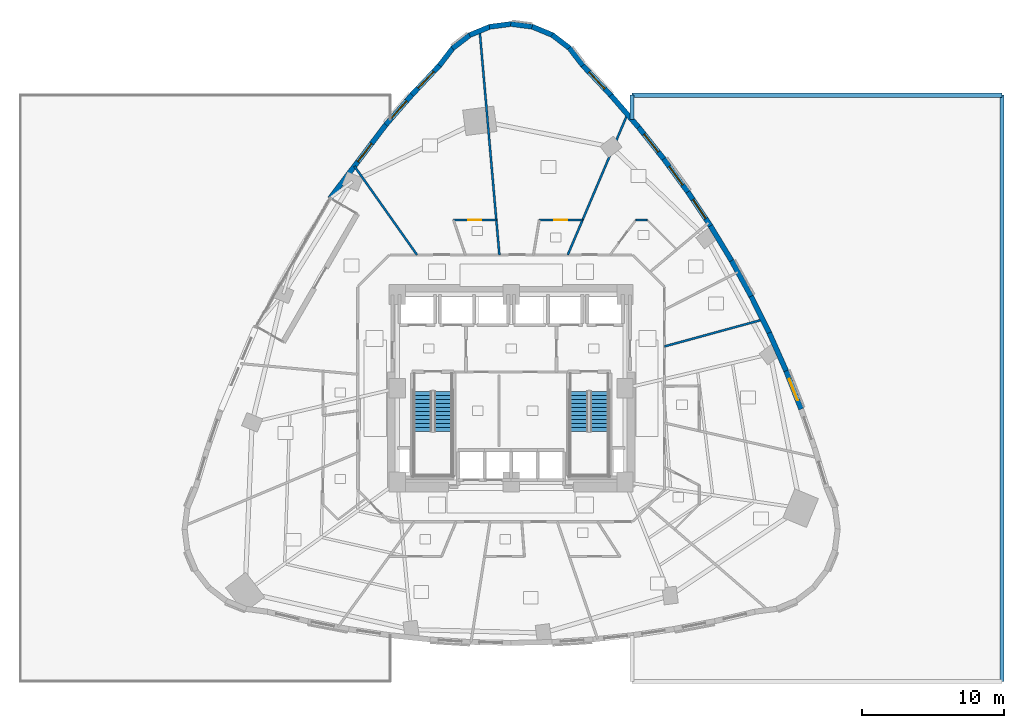
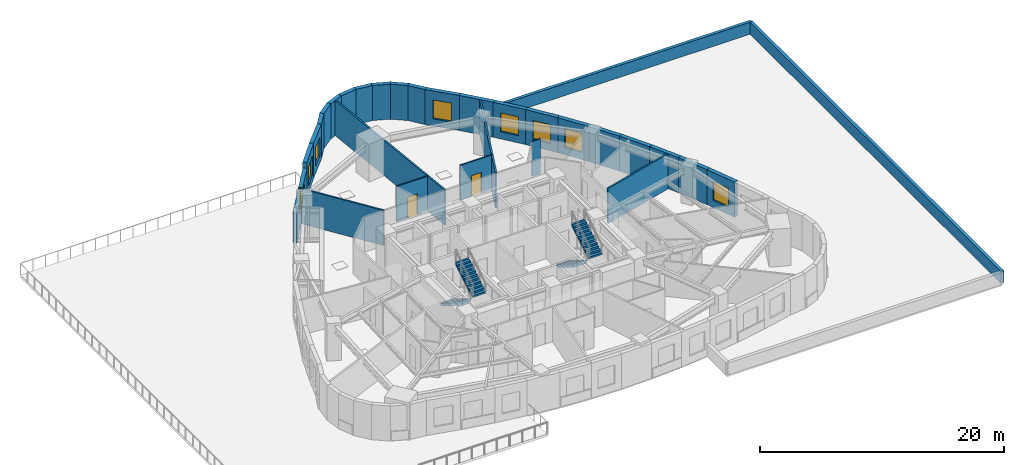
# One storey, part 11 of 15: 31 walls, 8 windows, 4 stair flights, 2 doors, 10 openings, 2 elements without a shape of their own.
"""IFC4 building model written with IfcOpenShell, lengths in metres."""

from ifc_helpers import new_model, si_unit, direction, frame, frame_2d, origin, place, context, subcontext, project, spatial, polyline, rectangle, outline, extrude, material, layer, layer_set, type_object, element, fill, aggregate, save


model = new_model("IFC4")

# Units and contexts
model_context = context("Model", 3, precision=1e-05, world=origin(), true_north=direction((0.0, 1.0)))
body_context = subcontext(model_context, "Body", "Model", "MODEL_VIEW")
ifc_project = project(units=[si_unit("LENGTHUNIT", "METRE"), si_unit("AREAUNIT", "SQUARE_METRE"), si_unit("VOLUMEUNIT", "CUBIC_METRE"), si_unit("PLANEANGLEUNIT", "RADIAN"), si_unit("MASSUNIT", "GRAM", prefix="KILO")], contexts=[model_context])

# Site, building, storey
site_placement = place(None, origin())
site = spatial("IfcSite", under=ifc_project, at=site_placement, CompositionType="ELEMENT")
building_placement = place(site_placement, origin())
building = spatial("IfcBuilding", under=site, at=building_placement, Name="Ndelora Gate Hotel", CompositionType="ELEMENT")
storey_placement = place(building_placement, frame((0.0, 0.0, 30.5)))
storey = spatial("IfcBuildingStorey", under=building, at=storey_placement, Name="L06", CompositionType="ELEMENT", Elevation=30.5)

# Walls
ifc_material_1 = material(Name="Clay Brick Masonry", Category="masonry")
ifc_layer_1 = layer(ifc_material_1, 0.360107421875)
ifc_layer_set_1 = layer_set([ifc_layer_1], Name="Clay Brick Masonry")
wall_type_1 = type_object("IfcWallType", Name="WL-BRICK-360", PredefinedType="SOLIDWALL", material=ifc_layer_set_1)
for number, where, z_axis, x_axis, name in (
    (1, (4.0859375, 23.928955078125, 0.0), (0.0, 0.0, 1.0), (0.608729688799, -0.793377694402, 0.0), "L06 Tower Brick Pier-and-Spandrel Wall TWR-1"),
    (2, (2.880126953125, 24.845947265625, 0.0), (0.0, 0.0, 1.0), (0.793377694402, -0.608729688799, 0.0), "L06 Tower Brick Pier-and-Spandrel Wall TWR-2"),
    (3, (1.47802734375, 25.419921875, 0.0), (0.0, 0.0, 1.0), (0.923864636245, -0.382719393153, 0.0), "L06 Tower Brick Pier-and-Spandrel Wall TWR-3"),
    (4, (-0.02490234375, 25.611083984375, 0.0), (0.0, 0.0, 1.0), (0.991450044922, -0.130486813217, 0.0), "L06 Tower Brick Pier-and-Spandrel Wall TWR-4"),
    (5, (-1.52587890625, 25.406982421875, 0.0), (0.0, 0.0, 1.0), (0.991450044922, 0.130486813217, 0.0), "L06 Tower Brick Pier-and-Spandrel Wall TWR-5"),
    (6, (-2.923095703125, 24.8212890625, 0.0), (0.0, 0.0, 1.0), (0.923864636245, 0.382719393153, 0.0), "L06 Tower Brick Pier-and-Spandrel Wall TWR-6"),
    (7, (-4.12109375, 23.893798828125, 0.0), (0.0, 0.0, 1.0), (0.793377694402, 0.608729688799, 0.0), "L06 Tower Brick Pier-and-Spandrel Wall TWR-7"),
    (8, (-5.0380859375, 22.68798828125, 0.0), (0.0, 0.0, 1.0), (0.608729688799, 0.793377694402, 0.0), "L06 Tower Brick Pier-and-Spandrel Wall TWR-8"),
):
    element("IfcWall", number, at=place(storey_placement, frame(where, z_axis=z_axis, x_axis=x_axis)), inside=storey, type_object=wall_type_1, Name=name, PredefinedType="SOLIDWALL", context=body_context, shape_type="SweptSolid", body=[
        extrude(rectangle(XDim=1.564208984375, YDim=0.360107421875, at=frame_2d((0.7822265625, 0.0))), origin(), (0.0, 0.0, 1.0), 3.5),
    ])

# Wall, opening, window
wall_1_placement = place(storey_placement, frame((-6.973388671875, 20.63671875, 0.0), z_axis=(0.0, 0.0, 1.0), x_axis=(0.685563685899, 0.728012659626, 0.0)))
wall_1 = element("IfcWall", 9, at=wall_1_placement, inside=storey, type_object=wall_type_1, Name="L06 Tower Brick Pier-and-Spandrel Wall TWR-9", PredefinedType="SOLIDWALL", context=body_context, shape_type="SweptSolid", body=[
    extrude(rectangle(XDim=2.869873046875, YDim=0.360107421875, at=frame_2d((1.43505859375, 0.0))), origin(), (0.0, 0.0, 1.0), 3.5),
])
opening_1_placement = place(wall_1_placement, frame((0.635009765625, 0.0, 0.719970703125)))
opening_1 = element("IfcOpeningElement", 10, at=opening_1_placement, cuts=wall_1, Name="Opening W03", PredefinedType="OPENING", context=body_context, shape_type="SweptSolid", body=[
    extrude(rectangle(XDim=1.60009765625, YDim=1.8798828125, at=frame_2d((0.800048828125, 0.93994140625))), frame((0.0, 0.18994140625, 0.0), z_axis=(0.0, -1.0, 0.0), x_axis=(1.0, 0.0, 0.0)), (0.0, 0.0, 1.0), 0.380126953125),
])
ifc_material_2 = material(Name="Insulated Low-E Double Glazing in Bronze Aluminium Frame", Category="aluminium")
window_type_1 = type_object("IfcWindowType", Name="WN-CORN-2100", PartitioningType="SINGLE_PANEL", PredefinedType="WINDOW", material=ifc_material_2)
window_1_placement = place(opening_1_placement, origin())
window_1 = element("IfcWindow", 11, at=window_1_placement, inside=storey, type_object=window_type_1, Name="L06 Deep-Set Brick-Pier Window W03", OverallHeight=1.8798828125, OverallWidth=1.60009765625, PartitioningType="SINGLE_PANEL", PredefinedType="WINDOW", context=body_context, shape_type="SweptSolid", body=[
    extrude(rectangle(XDim=1.60009765625, YDim=1.8798828125, at=frame_2d((0.800048828125, 0.93994140625))), frame((0.0, 0.030029296875, 0.0), z_axis=(0.0, -1.0, 0.0), x_axis=(1.0, 0.0, 0.0)), (0.0, 0.0, 1.0), 0.06005859375),
])
fill(opening_1, window_1)

wall_2_placement = place(storey_placement, frame((-8.808349609375, 18.5263671875, 0.0), z_axis=(0.0, 0.0, 1.0), x_axis=(0.656480194697, 0.754343260042, 0.0)))
wall_2 = element("IfcWall", 12, at=wall_2_placement, inside=storey, type_object=wall_type_1, Name="L06 Tower Brick Pier-and-Spandrel Wall TWR-10", PredefinedType="SOLIDWALL", context=body_context, shape_type="SweptSolid", body=[
    extrude(rectangle(XDim=2.846435546875, YDim=0.360107421875, at=frame_2d((1.42333984375, 0.0))), origin(), (0.0, 0.0, 1.0), 3.5),
])
opening_2_placement = place(wall_2_placement, frame((0.623291015625, 0.0, 0.719970703125)))
opening_2 = element("IfcOpeningElement", 13, at=opening_2_placement, cuts=wall_2, Name="Opening W01", PredefinedType="OPENING", context=body_context, shape_type="SweptSolid", body=[
    extrude(rectangle(XDim=1.60009765625, YDim=1.8798828125, at=frame_2d((0.800048828125, 0.93994140625))), frame((0.0, 0.18994140625, 0.0), z_axis=(0.0, -1.0, 0.0), x_axis=(1.0, 0.0, 0.0)), (0.0, 0.0, 1.0), 0.380126953125),
])
window_type_2 = type_object("IfcWindowType", Name="WN-DEEP-1600", PartitioningType="SINGLE_PANEL", PredefinedType="WINDOW", material=ifc_material_2)
window_2_placement = place(opening_2_placement, origin())
window_2 = element("IfcWindow", 14, at=window_2_placement, inside=storey, type_object=window_type_2, Name="L06 Deep-Set Brick-Pier Window W01", OverallHeight=1.8798828125, OverallWidth=1.60009765625, PartitioningType="SINGLE_PANEL", PredefinedType="WINDOW", context=body_context, shape_type="SweptSolid", body=[
    extrude(rectangle(XDim=1.60009765625, YDim=1.8798828125, at=frame_2d((0.800048828125, 0.93994140625))), frame((0.0, 0.030029296875, 0.0), z_axis=(0.0, -1.0, 0.0), x_axis=(1.0, 0.0, 0.0)), (0.0, 0.0, 1.0), 0.06005859375),
])
fill(opening_2, window_2)

wall_3_placement = place(storey_placement, frame((-12.745361328125, 13.334228515625, 0.0), z_axis=(0.0, 0.0, 1.0), x_axis=(0.604405198851, 0.796677071091, 0.0)))
wall_3 = element("IfcWall", 15, at=wall_3_placement, inside=storey, type_object=wall_type_1, Name="L06 Tower Brick Pier-and-Spandrel Wall TWR-11", PredefinedType="SOLIDWALL", context=body_context, shape_type="SweptSolid", body=[
    extrude(rectangle(XDim=6.56591796875, YDim=0.360107421875, at=frame_2d((3.282958984375, 0.0))), origin(), (0.0, 0.0, 1.0), 2.929931640625),
])
opening_3_placement = place(wall_3_placement, frame((3.260009765625, 0.0, 0.719970703125)))
opening_3 = element("IfcOpeningElement", 16, at=opening_3_placement, cuts=wall_3, Name="Opening W01", PredefinedType="OPENING", context=body_context, shape_type="SweptSolid", body=[
    extrude(rectangle(XDim=1.60009765625, YDim=1.8798828125, at=frame_2d((0.800048828125, 0.93994140625))), frame((0.0, 0.18994140625, 0.0), z_axis=(0.0, -1.0, 0.0), x_axis=(1.0, 0.0, 0.0)), (0.0, 0.0, 1.0), 0.380126953125),
])
window_3_placement = place(opening_3_placement, origin())
window_3 = element("IfcWindow", 17, at=window_3_placement, inside=storey, type_object=window_type_2, Name="L06 Deep-Set Brick-Pier Window W01", OverallHeight=1.8798828125, OverallWidth=1.60009765625, PartitioningType="SINGLE_PANEL", PredefinedType="WINDOW", context=body_context, shape_type="SweptSolid", body=[
    extrude(rectangle(XDim=1.60009765625, YDim=1.8798828125, at=frame_2d((0.800048828125, 0.93994140625))), frame((0.0, 0.030029296875, 0.0), z_axis=(0.0, -1.0, 0.0), x_axis=(1.0, 0.0, 0.0)), (0.0, 0.0, 1.0), 0.06005859375),
])
fill(opening_3, window_3)

wall_4_placement = place(storey_placement, frame((19.308349609375, 1.272216796875, 0.0), z_axis=(0.0, 0.0, 1.0), x_axis=(0.366361181184, -0.930472721213, 0.0)))
wall_4 = element("IfcWall", 18, at=wall_4_placement, inside=storey, type_object=wall_type_1, Name="L06 Tower Brick Pier-and-Spandrel Wall TWR-49", PredefinedType="SOLIDWALL", context=body_context, shape_type="SweptSolid", body=[
    extrude(rectangle(XDim=2.940673828125, YDim=0.360107421875, at=frame_2d((1.47021484375, 0.0))), origin(), (0.0, 0.0, 1.0), 3.5),
])
opening_4_placement = place(wall_4_placement, frame((0.67041015625, 0.0, 0.719970703125)))
opening_4 = element("IfcOpeningElement", 19, at=opening_4_placement, cuts=wall_4, Name="Opening W03", PredefinedType="OPENING", context=body_context, shape_type="SweptSolid", body=[
    extrude(rectangle(XDim=1.60009765625, YDim=1.8798828125, at=frame_2d((0.800048828125, 0.93994140625))), frame((0.0, 0.18994140625, 0.0), z_axis=(0.0, -1.0, 0.0), x_axis=(1.0, 0.0, 0.0)), (0.0, 0.0, 1.0), 0.380126953125),
])
window_4_placement = place(opening_4_placement, origin())
window_4 = element("IfcWindow", 20, at=window_4_placement, inside=storey, type_object=window_type_1, Name="L06 Deep-Set Brick-Pier Window W03", OverallHeight=1.8798828125, OverallWidth=1.60009765625, PartitioningType="SINGLE_PANEL", PredefinedType="WINDOW", context=body_context, shape_type="SweptSolid", body=[
    extrude(rectangle(XDim=1.60009765625, YDim=1.8798828125, at=frame_2d((0.800048828125, 0.93994140625))), frame((0.0, 0.030029296875, 0.0), z_axis=(0.0, -1.0, 0.0), x_axis=(1.0, 0.0, 0.0)), (0.0, 0.0, 1.0), 0.06005859375),
])
fill(opening_4, window_4)

# Walls
wall_5_placement = place(storey_placement, frame((18.142578125, 3.900634765625, 0.0), z_axis=(0.0, 0.0, 1.0), x_axis=(0.405100583427, -0.914272124319, 0.0)))
element("IfcWall", 21, at=wall_5_placement, inside=storey, type_object=wall_type_1, Name="L06 Tower Brick Pier-and-Spandrel Wall TWR-50", PredefinedType="SOLIDWALL", context=body_context, shape_type="SweptSolid", body=[
    extrude(rectangle(XDim=2.92529296875, YDim=0.360107421875, at=frame_2d((1.462646484375, 0.0))), origin(), (0.0, 0.0, 1.0), 3.5),
])
wall_6_placement = place(storey_placement, frame((16.87060546875, 6.4677734375, 0.0), z_axis=(0.0, 0.0, 1.0), x_axis=(0.44365878996, -0.896195781117, 0.0)))
element("IfcWall", 22, at=wall_6_placement, inside=storey, type_object=wall_type_1, Name="L06 Tower Brick Pier-and-Spandrel Wall TWR-51", PredefinedType="SOLIDWALL", context=body_context, shape_type="SweptSolid", body=[
    extrude(rectangle(XDim=2.914794921875, YDim=0.360107421875, at=frame_2d((1.45751953125, 0.0))), origin(), (0.0, 0.0, 1.0), 3.5),
])
wall_7_placement = place(storey_placement, frame((15.493408203125, 8.973876953125, 0.0), z_axis=(0.0, 0.0, 1.0), x_axis=(0.481319495438, -0.876545231754, 0.0)))
element("IfcWall", 23, at=wall_7_placement, inside=storey, type_object=wall_type_1, Name="L06 Tower Brick Pier-and-Spandrel Wall TWR-52", PredefinedType="SOLIDWALL", context=body_context, shape_type="SweptSolid", body=[
    extrude(rectangle(XDim=2.909423828125, YDim=0.360107421875, at=frame_2d((1.45458984375, 0.0))), origin(), (0.0, 0.0, 1.0), 3.5),
])
wall_8_placement = place(storey_placement, frame((14.009765625, 11.418701171875, 0.0), z_axis=(0.0, 0.0, 1.0), x_axis=(0.518463491903, -0.855099764685, 0.0)))
element("IfcWall", 24, at=wall_8_placement, inside=storey, type_object=wall_type_1, Name="L06 Tower Brick Pier-and-Spandrel Wall TWR-53", PredefinedType="SOLIDWALL", context=body_context, shape_type="SweptSolid", body=[
    extrude(rectangle(XDim=2.90966796875, YDim=0.360107421875, at=frame_2d((1.454833984375, 0.0))), origin(), (0.0, 0.0, 1.0), 3.5),
])

# Wall, opening, window
wall_9_placement = place(storey_placement, frame((12.420654296875, 13.802490234375, 0.0), z_axis=(0.0, 0.0, 1.0), x_axis=(0.554410222631, -0.832243537099, 0.0)))
wall_9 = element("IfcWall", 25, at=wall_9_placement, inside=storey, type_object=wall_type_1, Name="L06 Tower Brick Pier-and-Spandrel Wall TWR-54", PredefinedType="SOLIDWALL", context=body_context, shape_type="SweptSolid", body=[
    extrude(rectangle(XDim=2.914794921875, YDim=0.360107421875, at=frame_2d((1.45751953125, 0.0))), origin(), (0.0, 0.0, 1.0), 3.5),
])
opening_5_placement = place(wall_9_placement, frame((0.657470703125, 0.0, 0.719970703125)))
opening_5 = element("IfcOpeningElement", 26, at=opening_5_placement, cuts=wall_9, Name="Opening W01", PredefinedType="OPENING", context=body_context, shape_type="SweptSolid", body=[
    extrude(rectangle(XDim=1.60009765625, YDim=1.8798828125, at=frame_2d((0.800048828125, 0.93994140625))), frame((0.0, 0.18994140625, 0.0), z_axis=(0.0, -1.0, 0.0), x_axis=(1.0, 0.0, 0.0)), (0.0, 0.0, 1.0), 0.380126953125),
])
window_5_placement = place(opening_5_placement, origin())
window_5 = element("IfcWindow", 27, at=window_5_placement, inside=storey, type_object=window_type_2, Name="L06 Deep-Set Brick-Pier Window W01", OverallHeight=1.8798828125, OverallWidth=1.60009765625, PartitioningType="SINGLE_PANEL", PredefinedType="WINDOW", context=body_context, shape_type="SweptSolid", body=[
    extrude(rectangle(XDim=1.60009765625, YDim=1.8798828125, at=frame_2d((0.800048828125, 0.93994140625))), frame((0.0, 0.030029296875, 0.0), z_axis=(0.0, -1.0, 0.0), x_axis=(1.0, 0.0, 0.0)), (0.0, 0.0, 1.0), 0.06005859375),
])
fill(opening_5, window_5)

wall_10_placement = place(storey_placement, frame((10.7255859375, 16.125, 0.0), z_axis=(0.0, 0.0, 1.0), x_axis=(0.589223239374, -0.807970280507, 0.0)))
wall_10 = element("IfcWall", 28, at=wall_10_placement, inside=storey, type_object=wall_type_1, Name="L06 Tower Brick Pier-and-Spandrel Wall TWR-55", PredefinedType="SOLIDWALL", context=body_context, shape_type="SweptSolid", body=[
    extrude(rectangle(XDim=2.92529296875, YDim=0.360107421875, at=frame_2d((1.462646484375, 0.0))), origin(), (0.0, 0.0, 1.0), 3.5),
])
opening_6_placement = place(wall_10_placement, frame((0.66259765625, 0.0, 0.719970703125)))
opening_6 = element("IfcOpeningElement", 29, at=opening_6_placement, cuts=wall_10, Name="Opening W01", PredefinedType="OPENING", context=body_context, shape_type="SweptSolid", body=[
    extrude(rectangle(XDim=1.60009765625, YDim=1.8798828125, at=frame_2d((0.800048828125, 0.93994140625))), frame((0.0, 0.18994140625, 0.0), z_axis=(0.0, -1.0, 0.0), x_axis=(1.0, 0.0, 0.0)), (0.0, 0.0, 1.0), 0.380126953125),
])
window_6_placement = place(opening_6_placement, origin())
window_6 = element("IfcWindow", 30, at=window_6_placement, inside=storey, type_object=window_type_2, Name="L06 Deep-Set Brick-Pier Window W01", OverallHeight=1.8798828125, OverallWidth=1.60009765625, PartitioningType="SINGLE_PANEL", PredefinedType="WINDOW", context=body_context, shape_type="SweptSolid", body=[
    extrude(rectangle(XDim=1.60009765625, YDim=1.8798828125, at=frame_2d((0.800048828125, 0.93994140625))), frame((0.0, 0.030029296875, 0.0), z_axis=(0.0, -1.0, 0.0), x_axis=(1.0, 0.0, 0.0)), (0.0, 0.0, 1.0), 0.06005859375),
])
fill(opening_6, window_6)

wall_11_placement = place(storey_placement, frame((8.9248046875, 18.38671875, 0.0), z_axis=(0.0, 0.0, 1.0), x_axis=(0.622637946995, -0.782510055502, 0.0)))
wall_11 = element("IfcWall", 31, at=wall_11_placement, inside=storey, type_object=wall_type_1, Name="L06 Tower Brick Pier-and-Spandrel Wall TWR-56", PredefinedType="SOLIDWALL", context=body_context, shape_type="SweptSolid", body=[
    extrude(rectangle(XDim=2.941162109375, YDim=0.360107421875, at=frame_2d((1.470703125, 0.0))), origin(), (0.0, 0.0, 1.0), 3.5),
])
opening_7_placement = place(wall_11_placement, frame((0.67041015625, 0.0, 0.719970703125)))
opening_7 = element("IfcOpeningElement", 32, at=opening_7_placement, cuts=wall_11, Name="Opening W01", PredefinedType="OPENING", context=body_context, shape_type="SweptSolid", body=[
    extrude(rectangle(XDim=1.60009765625, YDim=1.8798828125, at=frame_2d((0.800048828125, 0.93994140625))), frame((0.0, 0.18994140625, 0.0), z_axis=(0.0, -1.0, 0.0), x_axis=(1.0, 0.0, 0.0)), (0.0, 0.0, 1.0), 0.380126953125),
])
window_7_placement = place(opening_7_placement, origin())
window_7 = element("IfcWindow", 33, at=window_7_placement, inside=storey, type_object=window_type_2, Name="L06 Deep-Set Brick-Pier Window W01", OverallHeight=1.8798828125, OverallWidth=1.60009765625, PartitioningType="SINGLE_PANEL", PredefinedType="WINDOW", context=body_context, shape_type="SweptSolid", body=[
    extrude(rectangle(XDim=1.60009765625, YDim=1.8798828125, at=frame_2d((0.800048828125, 0.93994140625))), frame((0.0, 0.030029296875, 0.0), z_axis=(0.0, -1.0, 0.0), x_axis=(1.0, 0.0, 0.0)), (0.0, 0.0, 1.0), 0.06005859375),
])
fill(opening_7, window_7)

# Wall
wall_12_placement = place(storey_placement, frame((7.018310546875, 20.5869140625, 0.0), z_axis=(0.0, 0.0, 1.0), x_axis=(0.654585220283, -0.755988220402, 0.0)))
element("IfcWall", 34, at=wall_12_placement, inside=storey, type_object=wall_type_1, Name="L06 Tower Brick Pier-and-Spandrel Wall TWR-57", PredefinedType="SOLIDWALL", context=body_context, shape_type="SweptSolid", body=[
    extrude(rectangle(XDim=2.96142578125, YDim=0.360107421875, at=frame_2d((1.480712890625, 0.0))), origin(), (0.0, 0.0, 1.0), 3.5),
])

# Wall, opening, window
wall_13_placement = place(storey_placement, frame((5.005859375, 22.72607421875, 0.0), z_axis=(0.0, 0.0, 1.0), x_axis=(0.684946458387, -0.728593404542, 0.0)))
wall_13 = element("IfcWall", 35, at=wall_13_placement, inside=storey, type_object=wall_type_1, Name="L06 Tower Brick Pier-and-Spandrel Wall TWR-58", PredefinedType="SOLIDWALL", context=body_context, shape_type="SweptSolid", body=[
    extrude(rectangle(XDim=2.987060546875, YDim=0.360107421875, at=frame_2d((1.49365234375, 0.0))), origin(), (0.0, 0.0, 1.0), 3.5),
])
opening_8_placement = place(wall_13_placement, frame((0.693603515625, 0.0, 0.719970703125)))
opening_8 = element("IfcOpeningElement", 36, at=opening_8_placement, cuts=wall_13, Name="Opening W01", PredefinedType="OPENING", context=body_context, shape_type="SweptSolid", body=[
    extrude(rectangle(XDim=1.60009765625, YDim=1.8798828125, at=frame_2d((0.800048828125, 0.93994140625))), frame((0.0, 0.18994140625, 0.0), z_axis=(0.0, -1.0, 0.0), x_axis=(1.0, 0.0, 0.0)), (0.0, 0.0, 1.0), 0.380126953125),
])
window_8_placement = place(opening_8_placement, origin())
window_8 = element("IfcWindow", 37, at=window_8_placement, inside=storey, type_object=window_type_2, Name="L06 Deep-Set Brick-Pier Window W01", OverallHeight=1.8798828125, OverallWidth=1.60009765625, PartitioningType="SINGLE_PANEL", PredefinedType="WINDOW", context=body_context, shape_type="SweptSolid", body=[
    extrude(rectangle(XDim=1.60009765625, YDim=1.8798828125, at=frame_2d((0.800048828125, 0.93994140625))), frame((0.0, 0.030029296875, 0.0), z_axis=(0.0, -1.0, 0.0), x_axis=(1.0, 0.0, 0.0)), (0.0, 0.0, 1.0), 0.06005859375),
])
fill(opening_8, window_8)

# Walls
ifc_material_3 = material(Name="Precast concrete C40/50", Category="concrete")
ifc_layer_2 = layer(ifc_material_3, 0.2900390625)
ifc_layer_set_2 = layer_set([ifc_layer_2], Name="Precast concrete C40/50")
wall_type_2 = type_object("IfcWallType", Name="WL-PARA-290", PredefinedType="PARAPET", material=ifc_layer_set_2)
wall_14_placement = place(storey_placement, frame((34.5, -20.60009765625, 0.0), z_axis=(0.0, 0.0, 1.0), x_axis=(0.0, 1.0, 0.0)))
element("IfcWall", 38, at=wall_14_placement, inside=storey, type_object=wall_type_2, Name="L06 East Podium Roof Parapet Wall 3", PredefinedType="PARAPET", context=body_context, shape_type="SweptSolid", body=[
    extrude(rectangle(XDim=41.2001953125, YDim=0.2900390625, at=frame_2d((20.60009765625, 0.0))), origin(), (0.0, 0.0, 1.0), 1.199951171875),
])
wall_15_placement = place(storey_placement, frame((34.5, 20.60009765625, 0.0), z_axis=(0.0, 0.0, 1.0), x_axis=(-1.0, 0.0, 0.0)))
element("IfcWall", 39, at=wall_15_placement, inside=storey, type_object=wall_type_2, Name="L06 East Podium Roof Parapet Wall 4", PredefinedType="PARAPET", context=body_context, shape_type="SweptSolid", body=[
    extrude(rectangle(XDim=26.0, YDim=0.2900390625, at=frame_2d((13.0, 0.0))), origin(), (0.0, 0.0, 1.0), 1.199951171875),
])
wall_16_placement = place(storey_placement, frame((8.5, 20.60009765625, 0.0), z_axis=(0.0, 0.0, 1.0), x_axis=(0.0, -1.0, 0.0)))
element("IfcWall", 40, at=wall_16_placement, inside=storey, type_object=wall_type_2, Name="L06 East Podium Roof Parapet Wall 5", PredefinedType="PARAPET", context=body_context, shape_type="SweptSolid", body=[
    extrude(rectangle(XDim=1.69384765625, YDim=0.2900390625, at=frame_2d((0.846923828125, 0.0))), origin(), (0.0, 0.0, 1.0), 1.199951171875),
])
ifc_material_4 = material(Name="Fire-Rated Gypsum Stud Partition", Category="gypsum")
ifc_layer_3 = layer(ifc_material_4, 0.14990234375)
ifc_layer_set_3 = layer_set([ifc_layer_3], Name="Fire-Rated Gypsum Stud Partition")
wall_type_3 = type_object("IfcWallType", Name="WL-PART-150", PredefinedType="PARTITIONING", material=ifc_layer_set_3)
wall_17_placement = place(storey_placement, frame((3.98046875, 9.3798828125, 0.0), z_axis=(0.0, 0.0, 1.0), x_axis=(0.390626405148, 0.920549298843, 0.0)))
element("IfcWall", 41, at=wall_17_placement, inside=storey, type_object=wall_type_3, Name="L06 Interior Wall IW-5", PredefinedType="PARTITIONING", context=body_context, shape_type="SweptSolid", body=[
    extrude(rectangle(XDim=10.72802734375, YDim=0.14990234375, at=frame_2d((5.364013671875, 0.0))), origin(), (0.0, 0.0, 1.0), 3.5),
])
wall_18_placement = place(storey_placement, frame((-0.82568359375, 9.3798828125, 0.0), z_axis=(0.0, 0.0, 1.0), x_axis=(-0.087674603254, 0.996149167517, 0.0)))
element("IfcWall", 42, at=wall_18_placement, inside=storey, type_object=wall_type_3, Name="L06 Interior Wall IW-5", PredefinedType="PARTITIONING", context=body_context, shape_type="SweptSolid", body=[
    extrude(rectangle(XDim=15.797119140625, YDim=0.14990234375, at=frame_2d((7.8984375, 0.0))), origin(), (0.0, 0.0, 1.0), 3.5),
])
wall_19_placement = place(storey_placement, frame((-6.619140625, 9.3798828125, 0.0), z_axis=(0.0, 0.0, 1.0), x_axis=(-0.576560044714, 0.817054780807, 0.0)))
element("IfcWall", 43, at=wall_19_placement, inside=storey, type_object=wall_type_3, Name="L06 Interior Wall IW-5", PredefinedType="PARTITIONING", context=body_context, shape_type="SweptSolid", body=[
    extrude(rectangle(XDim=7.6279296875, YDim=0.14990234375, at=frame_2d((3.81396484375, 0.0))), origin(), (0.0, 0.0, 1.0), 3.5),
])
wall_20_placement = place(storey_placement, frame((10.780029296875, 2.94287109375, 0.0), z_axis=(0.0, 0.0, 1.0), x_axis=(0.964692920296, 0.263377238063, 0.0)))
element("IfcWall", 44, at=wall_20_placement, inside=storey, type_object=wall_type_3, Name="L06 Interior Wall IW-5", PredefinedType="PARTITIONING", context=body_context, shape_type="SweptSolid", body=[
    extrude(rectangle(XDim=7.1552734375, YDim=0.14990234375, at=frame_2d((3.57763671875, 0.0))), origin(), (0.0, 0.0, 1.0), 3.5),
])
ifc_material_5 = material(Name="Moisture-Resistant Bathroom Tile Partition", Category="gypsum")
ifc_layer_4 = layer(ifc_material_5, 0.1201171875)
ifc_layer_set_4 = layer_set([ifc_layer_4], Name="Moisture-Resistant Bathroom Tile Partition")
wall_type_4 = type_object("IfcWallType", Name="WL-WET-120", PredefinedType="PARTITIONING", material=ifc_layer_set_4)
wall_21_placement = place(storey_placement, frame((8.76806640625, 11.830078125, 0.0), z_axis=(0.0, 0.0, 1.0), x_axis=(1.0, 0.0, 0.0)))
element("IfcWall", 45, at=wall_21_placement, inside=storey, type_object=wall_type_4, Name="L06 Interior Wall IW-7", PredefinedType="PARTITIONING", context=body_context, shape_type="SweptSolid", body=[
    extrude(rectangle(XDim=0.796630859375, YDim=0.1201171875, at=frame_2d((0.3984375, 0.0))), origin(), (0.0, 0.0, 1.0), 3.5),
])

# Wall, opening, door
wall_22_placement = place(storey_placement, frame((1.978515625, 11.830078125, 0.0), z_axis=(0.0, 0.0, 1.0), x_axis=(1.0, 0.0, 0.0)))
wall_22 = element("IfcWall", 46, at=wall_22_placement, inside=storey, type_object=wall_type_4, Name="L06 Interior Wall IW-7", PredefinedType="PARTITIONING", context=body_context, shape_type="SweptSolid", body=[
    extrude(rectangle(XDim=3.04150390625, YDim=0.1201171875, at=frame_2d((1.520751953125, 0.0))), origin(), (0.0, 0.0, 1.0), 3.5),
])
opening_9_placement = place(wall_22_placement, frame((1.060791015625, 0.0, 0.0)))
opening_9 = element("IfcOpeningElement", 47, at=opening_9_placement, cuts=wall_22, Name="Opening D03", PredefinedType="OPENING", context=body_context, shape_type="SweptSolid", body=[
    extrude(rectangle(XDim=0.919921875, YDim=2.10009765625, at=frame_2d((0.4599609375, 1.050048828125))), frame((0.0, 0.070068359375, 0.0), z_axis=(0.0, -1.0, 0.0), x_axis=(1.0, 0.0, 0.0)), (0.0, 0.0, 1.0), 0.14013671875),
])
ifc_material_6 = material(Name="Moisture-Resistant Hardwood En-Suite Door", Category="wood")
door_type = type_object("IfcDoorType", Name="DR-BATH-920", OperationType="SINGLE_SWING_LEFT", PredefinedType="DOOR", material=ifc_material_6)
door_1_placement = place(opening_9_placement, origin())
door_1 = element("IfcDoor", 48, at=door_1_placement, inside=storey, type_object=door_type, Name="L06 En-suite Bathroom 902 Door", OperationType="SINGLE_SWING_LEFT", OverallHeight=2.10009765625, OverallWidth=0.919921875, PredefinedType="DOOR", context=body_context, shape_type="SweptSolid", body=[
    extrude(rectangle(XDim=0.919921875, YDim=2.10009765625, at=frame_2d((0.4599609375, 1.050048828125))), frame((0.0, 0.02490234375, 0.0), z_axis=(0.0, -1.0, 0.0), x_axis=(1.0, 0.0, 0.0)), (0.0, 0.0, 1.0), 0.050048828125),
])
fill(opening_9, door_1)

wall_23_placement = place(storey_placement, frame((-4.05322265625, 11.830078125, 0.0), z_axis=(0.0, 0.0, 1.0), x_axis=(1.0, 0.0, 0.0)))
wall_23 = element("IfcWall", 49, at=wall_23_placement, inside=storey, type_object=wall_type_4, Name="L06 Interior Wall IW-7", PredefinedType="PARTITIONING", context=body_context, shape_type="SweptSolid", body=[
    extrude(rectangle(XDim=3.011962890625, YDim=0.1201171875, at=frame_2d((1.505859375, 0.0))), origin(), (0.0, 0.0, 1.0), 3.5),
])
opening_10_placement = place(wall_23_placement, frame((1.0458984375, 0.0, 0.0)))
opening_10 = element("IfcOpeningElement", 50, at=opening_10_placement, cuts=wall_23, Name="Opening D03", PredefinedType="OPENING", context=body_context, shape_type="SweptSolid", body=[
    extrude(rectangle(XDim=0.919921875, YDim=2.10009765625, at=frame_2d((0.4599609375, 1.050048828125))), frame((0.0, 0.070068359375, 0.0), z_axis=(0.0, -1.0, 0.0), x_axis=(1.0, 0.0, 0.0)), (0.0, 0.0, 1.0), 0.14013671875),
])
door_2_placement = place(opening_10_placement, origin())
door_2 = element("IfcDoor", 51, at=door_2_placement, inside=storey, type_object=door_type, Name="L06 En-suite Bathroom 903 Door", OperationType="SINGLE_SWING_RIGHT", OverallHeight=2.10009765625, OverallWidth=0.919921875, PredefinedType="DOOR", context=body_context, shape_type="SweptSolid", body=[
    extrude(rectangle(XDim=0.919921875, YDim=2.10009765625, at=frame_2d((0.4599609375, 1.050048828125))), frame((0.0, 0.02490234375, 0.0), z_axis=(0.0, -1.0, 0.0), x_axis=(1.0, 0.0, 0.0)), (0.0, 0.0, 1.0), 0.050048828125),
])
fill(opening_10, door_2)

# Stair, stair flights
stair_type = type_object("IfcStairType", Name="STR-DOG-CORE", PredefinedType="HALF_TURN_STAIR", material=ifc_material_3)
stair_1_placement = place(storey_placement, origin())
stair_1 = element("IfcStair", 52, at=stair_1_placement, inside=storey, type_object=stair_type, Name="L06 Protected Core Exit Stair ST4", PredefinedType="HALF_TURN_STAIR")
stair_flight_type = type_object("IfcStairFlightType", Name="STF-PRECAST", PredefinedType="STRAIGHT", material=ifc_material_3)
stair_flight_1_placement = place(storey_placement, frame((-6.2099609375, -0.22998046875, 0.0), z_axis=(0.0, 0.0, 1.0), x_axis=(0.0, -1.0, 0.0)))
stair_flight_1 = element("IfcStairFlight", 53, at=stair_flight_1_placement, type_object=stair_flight_type, Name="ST4 flight 1", NumberOfRisers=11, NumberOfTreads=10, PredefinedType="STRAIGHT", RiserHeight=0.170454545, TreadLength=0.28, context=body_context, shape_type="SweptSolid", body=[
    extrude(outline(polyline([(-0.00048828125, 0.0), (-0.00048828125, 0.17041015625), (0.0, 0.17041015625), (0.280029296875, 0.17041015625), (0.280029296875, 0.3408203125), (0.56005859375, 0.3408203125), (0.56005859375, 0.511474609375), (0.840087890625, 0.511474609375), (0.840087890625, 0.681884765625), (1.1201171875, 0.681884765625), (1.1201171875, 0.852294921875), (1.39990234375, 0.852294921875), (1.39990234375, 1.022705078125), (1.679931640625, 1.022705078125), (1.679931640625, 1.193115234375), (1.9599609375, 1.193115234375), (1.9599609375, 1.363525390625), (2.239990234375, 1.363525390625), (2.239990234375, 1.5341796875), (2.52001953125, 1.5341796875), (2.52001953125, 1.70458984375), (2.800048828125, 1.70458984375), (2.800048828125, 1.875), (2.800537109375, 1.875), (2.800537109375, 1.695068359375), (2.800048828125, 1.529052734375), (0.288330078125, 0.0), (-0.00048828125, 0.0)])), frame((0.0, 0.64013671875, 0.0), z_axis=(0.0, -1.0, 0.0), x_axis=(1.0, 0.0, 0.0)), (0.0, 0.0, 1.0), 1.280029296875),
])
stair_flight_2_placement = place(storey_placement, frame((-4.77001953125, -3.030029296875, 1.875), z_axis=(0.0, 0.0, 1.0), x_axis=(0.0, 1.0, 0.0)))
stair_flight_2 = element("IfcStairFlight", 54, at=stair_flight_2_placement, type_object=stair_flight_type, Name="ST4 flight 2", NumberOfRisers=11, NumberOfTreads=10, PredefinedType="STRAIGHT", RiserHeight=0.170454545, TreadLength=0.28, context=body_context, shape_type="SweptSolid", body=[
    extrude(outline(polyline([(-0.00048828125, 0.0), (-0.00048828125, 0.17041015625), (0.0, 0.17041015625), (0.280029296875, 0.17041015625), (0.280029296875, 0.3408203125), (0.56005859375, 0.3408203125), (0.56005859375, 0.511474609375), (0.840087890625, 0.511474609375), (0.840087890625, 0.681884765625), (1.1201171875, 0.681884765625), (1.1201171875, 0.852294921875), (1.39990234375, 0.852294921875), (1.39990234375, 1.022705078125), (1.679931640625, 1.022705078125), (1.679931640625, 1.193115234375), (1.9599609375, 1.193115234375), (1.9599609375, 1.363525390625), (2.239990234375, 1.363525390625), (2.239990234375, 1.5341796875), (2.52001953125, 1.5341796875), (2.52001953125, 1.70458984375), (2.800048828125, 1.70458984375), (2.800048828125, 1.875), (2.800537109375, 1.875), (2.800537109375, 1.695068359375), (2.800048828125, 1.529052734375), (0.288330078125, 0.0), (-0.00048828125, 0.0)])), frame((0.0, 0.64013671875, 0.0), z_axis=(0.0, -1.0, 0.0), x_axis=(1.0, 0.0, 0.0)), (0.0, 0.0, 1.0), 1.280029296875),
])
aggregate(stair_1, [stair_flight_1, stair_flight_2])

stair_2_placement = place(storey_placement, origin())
stair_2 = element("IfcStair", 55, at=stair_2_placement, inside=storey, type_object=stair_type, Name="L06 Protected Core Exit Stair ST5", PredefinedType="HALF_TURN_STAIR")
stair_flight_3_placement = place(storey_placement, frame((4.77001953125, -0.22998046875, 0.0), z_axis=(0.0, 0.0, 1.0), x_axis=(0.0, -1.0, 0.0)))
stair_flight_3 = element("IfcStairFlight", 56, at=stair_flight_3_placement, type_object=stair_flight_type, Name="ST5 flight 1", NumberOfRisers=11, NumberOfTreads=10, PredefinedType="STRAIGHT", RiserHeight=0.170454545, TreadLength=0.28, context=body_context, shape_type="SweptSolid", body=[
    extrude(outline(polyline([(-0.00048828125, 0.0), (-0.00048828125, 0.17041015625), (0.0, 0.17041015625), (0.280029296875, 0.17041015625), (0.280029296875, 0.3408203125), (0.56005859375, 0.3408203125), (0.56005859375, 0.511474609375), (0.840087890625, 0.511474609375), (0.840087890625, 0.681884765625), (1.1201171875, 0.681884765625), (1.1201171875, 0.852294921875), (1.39990234375, 0.852294921875), (1.39990234375, 1.022705078125), (1.679931640625, 1.022705078125), (1.679931640625, 1.193115234375), (1.9599609375, 1.193115234375), (1.9599609375, 1.363525390625), (2.239990234375, 1.363525390625), (2.239990234375, 1.5341796875), (2.52001953125, 1.5341796875), (2.52001953125, 1.70458984375), (2.800048828125, 1.70458984375), (2.800048828125, 1.875), (2.800537109375, 1.875), (2.800537109375, 1.695068359375), (2.800048828125, 1.529052734375), (0.288330078125, 0.0), (-0.00048828125, 0.0)])), frame((0.0, 0.64013671875, 0.0), z_axis=(0.0, -1.0, 0.0), x_axis=(1.0, 0.0, 0.0)), (0.0, 0.0, 1.0), 1.280029296875),
])
stair_flight_4_placement = place(storey_placement, frame((6.2099609375, -3.030029296875, 1.875), z_axis=(0.0, 0.0, 1.0), x_axis=(0.0, 1.0, 0.0)))
stair_flight_4 = element("IfcStairFlight", 57, at=stair_flight_4_placement, type_object=stair_flight_type, Name="ST5 flight 2", NumberOfRisers=11, NumberOfTreads=10, PredefinedType="STRAIGHT", RiserHeight=0.170454545, TreadLength=0.28, context=body_context, shape_type="SweptSolid", body=[
    extrude(outline(polyline([(-0.00048828125, 0.0), (-0.00048828125, 0.17041015625), (0.0, 0.17041015625), (0.280029296875, 0.17041015625), (0.280029296875, 0.3408203125), (0.56005859375, 0.3408203125), (0.56005859375, 0.511474609375), (0.840087890625, 0.511474609375), (0.840087890625, 0.681884765625), (1.1201171875, 0.681884765625), (1.1201171875, 0.852294921875), (1.39990234375, 0.852294921875), (1.39990234375, 1.022705078125), (1.679931640625, 1.022705078125), (1.679931640625, 1.193115234375), (1.9599609375, 1.193115234375), (1.9599609375, 1.363525390625), (2.239990234375, 1.363525390625), (2.239990234375, 1.5341796875), (2.52001953125, 1.5341796875), (2.52001953125, 1.70458984375), (2.800048828125, 1.70458984375), (2.800048828125, 1.875), (2.800537109375, 1.875), (2.800537109375, 1.695068359375), (2.800048828125, 1.529052734375), (0.288330078125, 0.0), (-0.00048828125, 0.0)])), frame((0.0, 0.64013671875, 0.0), z_axis=(0.0, -1.0, 0.0), x_axis=(1.0, 0.0, 0.0)), (0.0, 0.0, 1.0), 1.280029296875),
])
aggregate(stair_2, [stair_flight_3, stair_flight_4])

save(model, "model.ifc")
